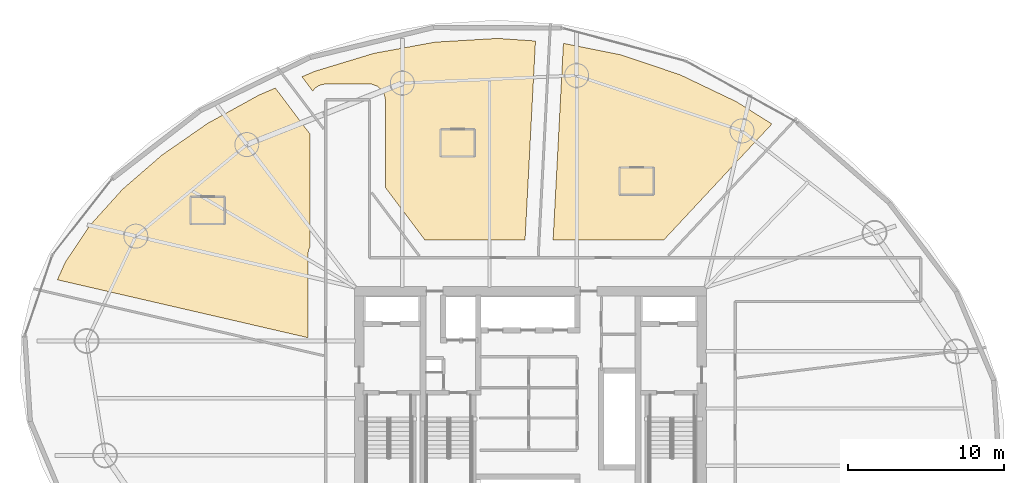
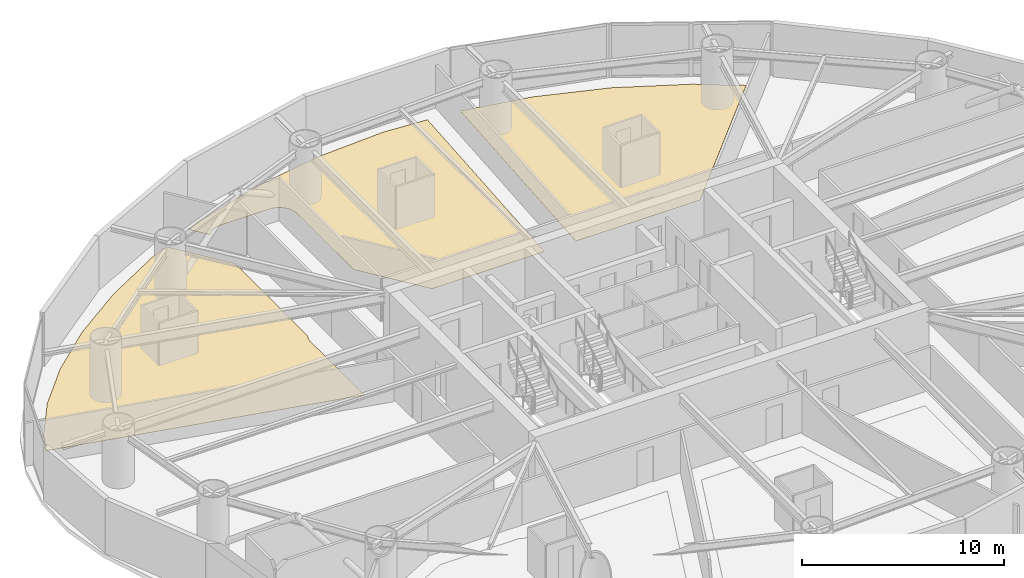
# One storey, part 23 of 23: 3 coverings.
"""IFC4 building model written with IfcOpenShell, lengths in metres."""

from ifc_helpers import new_model, si_unit, direction, frame, origin, place, context, subcontext, project, spatial, polyline, outline, extrude, material, layer, layer_set, type_object, element, save


model = new_model("IFC4")

# Units and contexts
model_context = context("Model", 3, precision=1e-05, world=origin(), true_north=direction((0.0, 1.0)))
body_context = subcontext(model_context, "Body", "Model", "MODEL_VIEW")
ifc_project = project(units=[si_unit("LENGTHUNIT", "METRE"), si_unit("AREAUNIT", "SQUARE_METRE"), si_unit("VOLUMEUNIT", "CUBIC_METRE"), si_unit("PLANEANGLEUNIT", "RADIAN"), si_unit("MASSUNIT", "GRAM", prefix="KILO")], contexts=[model_context])

# Site, building, storey
site_placement = place(None, origin())
site = spatial("IfcSite", under=ifc_project, at=site_placement, CompositionType="ELEMENT")
building_placement = place(site_placement, origin())
building = spatial("IfcBuilding", under=site, at=building_placement, Name="Bramvorn Convention Spire", CompositionType="ELEMENT")
storey_placement = place(building_placement, frame((0.0, 0.0, 65.89990234375)))
storey = spatial("IfcBuildingStorey", under=building, at=storey_placement, Name="L14", CompositionType="ELEMENT", Elevation=65.89990234375)

# Coverings
ifc_material = material(Name="Solution-Dyed Wool Broadloom Hospitality Carpet", Category="textile")
ifc_layer = layer(ifc_material, 0.014892578125)
ifc_layer_set = layer_set([ifc_layer], Name="Solution-Dyed Wool Broadloom Hospitality Carpet - FLR-CARPET-15")
covering_type = type_object("IfcCoveringType", Name="FLR-CARPET-15", PredefinedType="FLOORING", material=ifc_layer_set)
covering_1_placement = place(storey_placement, origin())
element("IfcCovering", 1, at=covering_1_placement, inside=storey, type_object=covering_type, Name="Hotel Suite 1402 wool broadloom carpet", PredefinedType="FLOORING", context=body_context, shape_type="SweptSolid", body=[
    extrude(outline(polyline([(39.451416015625, 36.5), (46.560791015625, 36.5), (53.51123046875, 43.953369140625), (51.223876953125, 45.38818359375), (47.614501953125, 47.11474609375), (43.814208984375, 48.393798828125), (40.113525390625, 49.1337890625), (39.451416015625, 36.5)])), origin(), (0.0, 0.0, 1.0), 0.01513671875),
])
covering_2_placement = place(storey_placement, origin())
element("IfcCovering", 2, at=covering_2_placement, inside=storey, type_object=covering_type, Name="Hotel Suite 1403 wool broadloom carpet", PredefinedType="FLOORING", context=body_context, shape_type="SweptSolid", body=[
    extrude(outline(polyline([(24.16943359375, 46.259521484375), (24.40869140625, 46.41943359375), (24.60791015625, 46.49072265625), (24.85009765625, 46.52001953125), (27.793701171875, 46.509765625), (28.169189453125, 46.377685546875), (28.465576171875, 46.1123046875), (28.6083984375, 45.84912109375), (28.6689453125, 45.544189453125), (28.669921875, 39.876708984375), (31.214599609375, 36.5), (37.64892578125, 36.5), (38.319091796875, 49.286376953125), (35.881591796875, 49.4521484375), (31.87890625, 49.21435546875), (27.943359375, 48.494384765625), (24.14794921875, 47.34130859375), (23.3125, 46.986328125), (24.00439453125, 46.068359375), (24.16943359375, 46.259521484375)])), origin(), (0.0, 0.0, 1.0), 0.01513671875),
])
covering_3_placement = place(storey_placement, origin())
element("IfcCovering", 3, at=covering_3_placement, inside=storey, type_object=covering_type, Name="Hotel Suite 1404 wool broadloom carpet", PredefinedType="FLOORING", context=body_context, shape_type="SweptSolid", body=[
    extrude(outline(polyline([(8.114013671875, 35.083251953125), (7.599853515625, 33.942138671875), (23.699951171875, 30.22509765625), (23.699951171875, 35.60009765625), (23.73876953125, 35.861328125), (23.830078125, 36.063720703125), (23.830078125, 43.30859375), (21.605224609375, 46.260986328125), (20.56591796875, 45.8193359375), (17.2685546875, 44.00048828125), (14.322509765625, 41.95751953125), (11.78564453125, 39.75634765625), (9.705322265625, 37.451904296875), (8.114013671875, 35.083251953125)])), origin(), (0.0, 0.0, 1.0), 0.01513671875),
])

save(model, "model.ifc")
